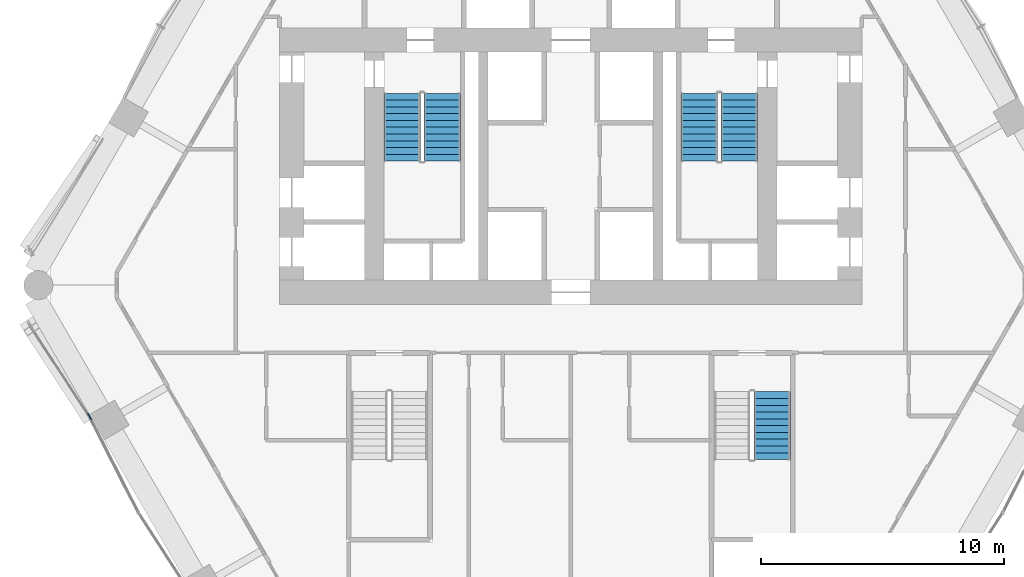
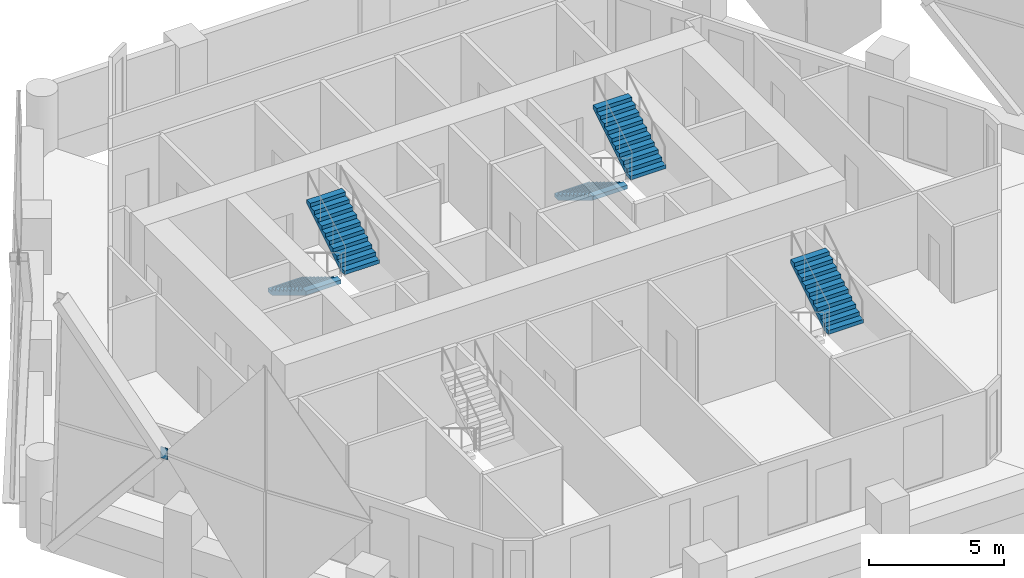
# One storey, part 14 of 17: 5 stair flights, 1 discrete accessory, 3 elements without a shape of their own.
"""IFC4 building model written with IfcOpenShell, lengths in metres."""

from ifc_helpers import new_model, si_unit, direction, frame, origin, origin_2d, place, context, subcontext, project, spatial, polyline, rectangle, outline, extrude, material, layer, layer_set, type_object, element, aggregate, save


model = new_model("IFC4")

# Units and contexts
model_context = context("Model", 3, precision=1e-05, world=origin(), true_north=direction((0.0, 1.0)))
body_context = subcontext(model_context, "Body", "Model", "MODEL_VIEW")
ifc_project = project(units=[si_unit("LENGTHUNIT", "METRE"), si_unit("AREAUNIT", "SQUARE_METRE"), si_unit("VOLUMEUNIT", "CUBIC_METRE"), si_unit("PLANEANGLEUNIT", "RADIAN"), si_unit("MASSUNIT", "GRAM", prefix="KILO")], contexts=[model_context])

# Site, building, storey
site_placement = place(None, origin())
site = spatial("IfcSite", under=ifc_project, at=site_placement, CompositionType="ELEMENT")
building_placement = place(site_placement, origin())
building = spatial("IfcBuilding", under=site, at=building_placement, Name="Ostrander Bayou Hotel Tower", CompositionType="ELEMENT")
storey_placement = place(building_placement, frame((0.0, 0.0, 127.25)))
storey = spatial("IfcBuildingStorey", under=building, at=storey_placement, Name="L31", CompositionType="ELEMENT", Elevation=127.25)

# Stair, stair flights
ifc_material_1 = material(Name="Concrete f'c 45 MPa", Category="concrete")
stair_type = type_object("IfcStairType", Name="ST1 exit stair 1500 mm f'c 45 MPa", PredefinedType="HALF_TURN_STAIR", material=ifc_material_1)
stair_1_placement = place(storey_placement, origin())
stair_1 = element("IfcStair", 1, at=stair_1_placement, inside=storey, type_object=stair_type, Name="L31 exit stair A", PredefinedType="HALF_TURN_STAIR")
ifc_material_2 = material(Name="Concrete f'c 45 MPa", Category="concrete")
stair_flight_type = type_object("IfcStairFlightType", Name="SF1 stair flight 1500 mm f'c 45 MPa", PredefinedType="STRAIGHT", material=ifc_material_2)
stair_flight_1_placement = place(storey_placement, frame((-6.949951171875, 7.0, 0.0), z_axis=(0.0, 0.0, 1.0), x_axis=(0.0, -1.0, 0.0)))
stair_flight_1 = element("IfcStairFlight", 2, at=stair_flight_1_placement, type_object=stair_flight_type, Name="STA flight 1", NumberOfRisers=11, NumberOfTreads=10, PredefinedType="STRAIGHT", RiserHeight=0.170454545, TreadLength=0.28, context=body_context, shape_type="SweptSolid", body=[
    extrude(outline(polyline([(0.0, 0.0), (0.0, 0.17041015625), (0.280029296875, 0.17041015625), (0.280029296875, 0.3408203125), (0.56005859375, 0.3408203125), (0.56005859375, 0.511474609375), (0.840087890625, 0.511474609375), (0.840087890625, 0.681884765625), (1.1201171875, 0.681884765625), (1.1201171875, 0.852294921875), (1.39990234375, 0.852294921875), (1.39990234375, 1.022705078125), (1.679931640625, 1.022705078125), (1.679931640625, 1.193115234375), (1.9599609375, 1.193115234375), (1.9599609375, 1.363525390625), (2.239990234375, 1.363525390625), (2.239990234375, 1.5341796875), (2.52001953125, 1.5341796875), (2.52001953125, 1.70458984375), (2.800048828125, 1.70458984375), (2.800048828125, 1.875), (2.800048828125, 1.529052734375), (0.288330078125, 0.0), (0.0, 0.0)])), frame((0.0, 0.75, 0.0), z_axis=(0.0, -1.0, 0.0), x_axis=(1.0, 0.0, 0.0)), (0.0, 0.0, 1.0), 1.5),
])
stair_flight_2_placement = place(storey_placement, frame((-5.300048828125, 4.199951171875, 1.875), z_axis=(0.0, 0.0, 1.0), x_axis=(0.0, 1.0, 0.0)))
stair_flight_2 = element("IfcStairFlight", 3, at=stair_flight_2_placement, type_object=stair_flight_type, Name="STA flight 2", NumberOfRisers=11, NumberOfTreads=10, PredefinedType="STRAIGHT", RiserHeight=0.170454545, TreadLength=0.28, context=body_context, shape_type="SweptSolid", body=[
    extrude(outline(polyline([(0.0, 0.0), (0.0, 0.17041015625), (0.280029296875, 0.17041015625), (0.280029296875, 0.3408203125), (0.56005859375, 0.3408203125), (0.56005859375, 0.511474609375), (0.840087890625, 0.511474609375), (0.840087890625, 0.681884765625), (1.1201171875, 0.681884765625), (1.1201171875, 0.852294921875), (1.39990234375, 0.852294921875), (1.39990234375, 1.022705078125), (1.679931640625, 1.022705078125), (1.679931640625, 1.193115234375), (1.9599609375, 1.193115234375), (1.9599609375, 1.363525390625), (2.239990234375, 1.363525390625), (2.239990234375, 1.5341796875), (2.52001953125, 1.5341796875), (2.52001953125, 1.70458984375), (2.800048828125, 1.70458984375), (2.800048828125, 1.875), (2.800048828125, 1.529052734375), (0.288330078125, 0.0), (0.0, 0.0)])), frame((0.0, 0.75, 0.0), z_axis=(0.0, -1.0, 0.0), x_axis=(1.0, 0.0, 0.0)), (0.0, 0.0, 1.0), 1.5),
])
aggregate(stair_1, [stair_flight_1, stair_flight_2])

stair_2_placement = place(storey_placement, origin())
stair_2 = element("IfcStair", 4, at=stair_2_placement, inside=storey, type_object=stair_type, Name="L31 exit stair B", PredefinedType="HALF_TURN_STAIR")
stair_flight_3_placement = place(storey_placement, frame((5.300048828125, 7.0, 0.0), z_axis=(0.0, 0.0, 1.0), x_axis=(0.0, -1.0, 0.0)))
stair_flight_3 = element("IfcStairFlight", 5, at=stair_flight_3_placement, type_object=stair_flight_type, Name="STB flight 1", NumberOfRisers=11, NumberOfTreads=10, PredefinedType="STRAIGHT", RiserHeight=0.170454545, TreadLength=0.28, context=body_context, shape_type="SweptSolid", body=[
    extrude(outline(polyline([(0.0, 0.0), (0.0, 0.17041015625), (0.280029296875, 0.17041015625), (0.280029296875, 0.3408203125), (0.56005859375, 0.3408203125), (0.56005859375, 0.511474609375), (0.840087890625, 0.511474609375), (0.840087890625, 0.681884765625), (1.1201171875, 0.681884765625), (1.1201171875, 0.852294921875), (1.39990234375, 0.852294921875), (1.39990234375, 1.022705078125), (1.679931640625, 1.022705078125), (1.679931640625, 1.193115234375), (1.9599609375, 1.193115234375), (1.9599609375, 1.363525390625), (2.239990234375, 1.363525390625), (2.239990234375, 1.5341796875), (2.52001953125, 1.5341796875), (2.52001953125, 1.70458984375), (2.800048828125, 1.70458984375), (2.800048828125, 1.875), (2.800048828125, 1.529052734375), (0.288330078125, 0.0), (0.0, 0.0)])), frame((0.0, 0.75, 0.0), z_axis=(0.0, -1.0, 0.0), x_axis=(1.0, 0.0, 0.0)), (0.0, 0.0, 1.0), 1.5),
])
stair_flight_4_placement = place(storey_placement, frame((6.949951171875, 4.199951171875, 1.875), z_axis=(0.0, 0.0, 1.0), x_axis=(0.0, 1.0, 0.0)))
stair_flight_4 = element("IfcStairFlight", 6, at=stair_flight_4_placement, type_object=stair_flight_type, Name="STB flight 2", NumberOfRisers=11, NumberOfTreads=10, PredefinedType="STRAIGHT", RiserHeight=0.170454545, TreadLength=0.28, context=body_context, shape_type="SweptSolid", body=[
    extrude(outline(polyline([(0.0, 0.0), (0.0, 0.17041015625), (0.280029296875, 0.17041015625), (0.280029296875, 0.3408203125), (0.56005859375, 0.3408203125), (0.56005859375, 0.511474609375), (0.840087890625, 0.511474609375), (0.840087890625, 0.681884765625), (1.1201171875, 0.681884765625), (1.1201171875, 0.852294921875), (1.39990234375, 0.852294921875), (1.39990234375, 1.022705078125), (1.679931640625, 1.022705078125), (1.679931640625, 1.193115234375), (1.9599609375, 1.193115234375), (1.9599609375, 1.363525390625), (2.239990234375, 1.363525390625), (2.239990234375, 1.5341796875), (2.52001953125, 1.5341796875), (2.52001953125, 1.70458984375), (2.800048828125, 1.70458984375), (2.800048828125, 1.875), (2.800048828125, 1.529052734375), (0.288330078125, 0.0), (0.0, 0.0)])), frame((0.0, 0.75, 0.0), z_axis=(0.0, -1.0, 0.0), x_axis=(1.0, 0.0, 0.0)), (0.0, 0.0, 1.0), 1.5),
])
aggregate(stair_2, [stair_flight_3, stair_flight_4])

# Stair, stair flight
stair_3_placement = place(storey_placement, origin())
stair_3 = element("IfcStair", 7, at=stair_3_placement, inside=storey, type_object=stair_type, Name="L31 exit stair C", PredefinedType="HALF_TURN_STAIR")
stair_flight_5_placement = place(storey_placement, frame((8.300048828125, -8.10009765625, 1.875), z_axis=(0.0, 0.0, 1.0), x_axis=(0.0, 1.0, 0.0)))
stair_flight_5 = element("IfcStairFlight", 8, at=stair_flight_5_placement, type_object=stair_flight_type, Name="STC flight 2", NumberOfRisers=11, NumberOfTreads=10, PredefinedType="STRAIGHT", RiserHeight=0.170454545, TreadLength=0.28, context=body_context, shape_type="SweptSolid", body=[
    extrude(outline(polyline([(0.0, 0.0), (0.0, 0.17041015625), (0.280029296875, 0.17041015625), (0.280029296875, 0.3408203125), (0.56005859375, 0.3408203125), (0.56005859375, 0.511474609375), (0.840087890625, 0.511474609375), (0.840087890625, 0.681884765625), (1.1201171875, 0.681884765625), (1.1201171875, 0.852294921875), (1.39990234375, 0.852294921875), (1.39990234375, 1.022705078125), (1.679931640625, 1.022705078125), (1.679931640625, 1.193115234375), (1.9599609375, 1.193115234375), (1.9599609375, 1.363525390625), (2.239990234375, 1.363525390625), (2.239990234375, 1.5341796875), (2.52001953125, 1.5341796875), (2.52001953125, 1.70458984375), (2.800048828125, 1.70458984375), (2.800048828125, 1.875), (2.800048828125, 1.529052734375), (0.288330078125, 0.0), (0.0, 0.0)])), frame((0.0, 0.75, 0.0), z_axis=(0.0, -1.0, 0.0), x_axis=(1.0, 0.0, 0.0)), (0.0, 0.0, 1.0), 1.5),
])
aggregate(stair_3, [stair_flight_5])

# Discrete accessory
ifc_material_3 = material(Name="Steel ASTM A572 Gr 50", Category="steel")
ifc_layer = layer(ifc_material_3, 0.030029296875)
ifc_layer_set = layer_set([ifc_layer], Name="GP1 gusset plate 30 mm")
discrete_accessory_type = type_object("IfcDiscreteAccessoryType", Name="GP1 gusset plate 30 mm", PredefinedType="BRACKET", material=ifc_layer_set)
discrete_accessory_placement = place(storey_placement, frame((-19.831787109375, -6.31689453125, 4.77490234375), z_axis=(0.0, 0.0, 1.0), x_axis=(0.5, -0.866025403784, 0.0)))
element("IfcDiscreteAccessory", 9, at=discrete_accessory_placement, inside=storey, type_object=discrete_accessory_type, Name="GP1 gusset plate lat 194", PredefinedType="BRACKET", context=body_context, shape_type="SweptSolid", body=[
    extrude(rectangle(XDim=0.300048828125, YDim=0.030029296875, at=origin_2d()), origin(), (0.0, 0.0, 1.0), 0.5),
])

save(model, "model.ifc")
